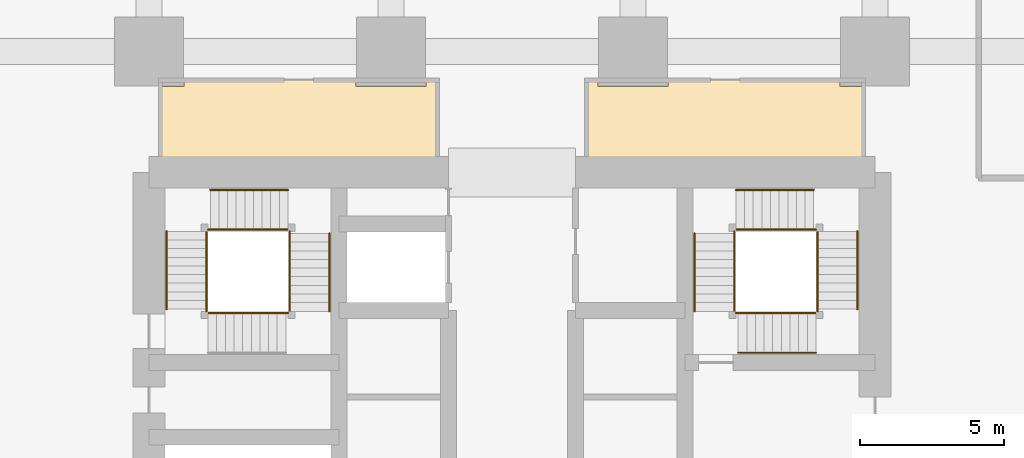
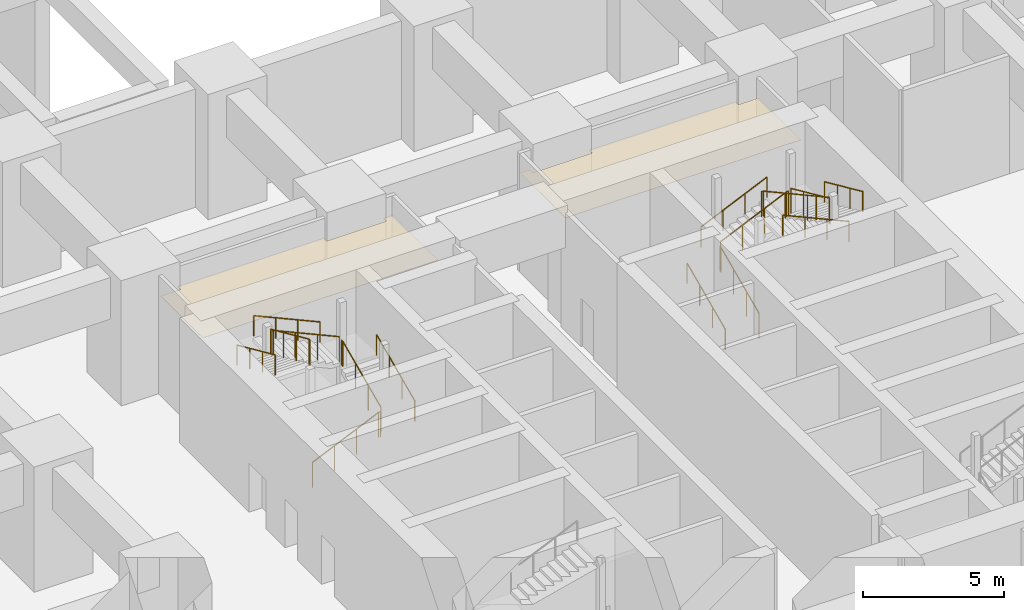
# One storey, part 18 of 20: 23 railings, 2 coverings.
"""IFC4 building model written with IfcOpenShell, lengths in metres."""

from ifc_helpers import new_model, si_unit, direction, frame, origin, origin_2d, place, context, subcontext, project, spatial, polyline, circle, outline, extrude, material, layer, layer_set, type_object, element, save


model = new_model("IFC4")

# Units and contexts
model_context = context("Model", 3, precision=1e-05, world=origin(), true_north=direction((0.0, 1.0)))
body_context = subcontext(model_context, "Body", "Model", "MODEL_VIEW")
ifc_project = project(units=[si_unit("LENGTHUNIT", "METRE"), si_unit("AREAUNIT", "SQUARE_METRE"), si_unit("VOLUMEUNIT", "CUBIC_METRE"), si_unit("PLANEANGLEUNIT", "RADIAN"), si_unit("MASSUNIT", "GRAM", prefix="KILO")], contexts=[model_context])

# Site, building, storey
site_placement = place(None, origin())
site = spatial("IfcSite", under=ifc_project, at=site_placement, CompositionType="ELEMENT")
building_placement = place(site_placement, origin())
building = spatial("IfcBuilding", under=site, at=building_placement, Name="Rekha Terrace Tower", CompositionType="ELEMENT")
storey_placement = place(building_placement, frame((0.0, 0.0, -5.39990234375)))
storey = spatial("IfcBuildingStorey", under=building, at=storey_placement, Name="B-01", CompositionType="ELEMENT", Elevation=-5.39990234375)

# Coverings
ifc_material_1 = material(Name="Fibre cement board", Category="finish")
ifc_layer = layer(ifc_material_1, 0.014892578125)
ifc_layer_set = layer_set([ifc_layer], Name="Fibre cement board")
covering_type = type_object("IfcCoveringType", Name="CL2 moisture-resistant board ceiling", PredefinedType="CEILING", material=ifc_layer_set)
covering_1_placement = place(storey_placement, frame((0.0, 0.0, 4.184814453125)))
element("IfcCovering", 1, at=covering_1_placement, inside=storey, type_object=covering_type, Name="Ceiling B-01-WCF", PredefinedType="CEILING", context=body_context, shape_type="SweptSolid", body=[
    extrude(outline(polyline([(40.784912109375, 49.39990234375), (40.39990234375, 49.39990234375), (40.39990234375, 46.199951171875), (50.0, 46.199951171875), (50.0, 49.18505859375), (49.18505859375, 49.18505859375), (49.18505859375, 49.39990234375), (43.215087890625, 49.39990234375), (43.215087890625, 49.18505859375), (40.784912109375, 49.18505859375), (40.784912109375, 49.39990234375)])), origin(), (0.0, 0.0, 1.0), 0.01513671875),
])
covering_2_placement = place(storey_placement, frame((0.0, 0.0, 4.184814453125)))
element("IfcCovering", 2, at=covering_2_placement, inside=storey, type_object=covering_type, Name="Ceiling B-01-WCF2", PredefinedType="CEILING", context=body_context, shape_type="SweptSolid", body=[
    extrude(outline(polyline([(26.4150390625, 49.18505859375), (25.60009765625, 49.18505859375), (25.60009765625, 46.199951171875), (35.199951171875, 46.199951171875), (35.199951171875, 49.39990234375), (34.81494140625, 49.39990234375), (34.81494140625, 49.18505859375), (32.385009765625, 49.18505859375), (32.385009765625, 49.39990234375), (26.4150390625, 49.39990234375), (26.4150390625, 49.18505859375)])), origin(), (0.0, 0.0, 1.0), 0.01513671875),
])

# Railings
ifc_material_2 = material(Name="Stainless steel balustrade", Category="steel")
railing_type_1 = type_object("IfcRailingType", Name="GR1 1100 stair guard", PredefinedType="GUARDRAIL", material=ifc_material_2)
railing_1_placement = place(storey_placement, frame((45.514892578125, 41.375, 0.135009765625)))
element("IfcRailing", 3, at=railing_1_placement, inside=storey, type_object=railing_type_1, Name="Guard ST2 B-01 flight 1", PredefinedType="GUARDRAIL", context=body_context, shape_type="SweptSolid", body=[
    extrude(circle(Radius=0.02392578125, at=origin_2d()), frame((0.0, 0.0, 1.076171875), z_axis=(0.0, 0.91193847666, 0.410326960834), x_axis=(-1.0, 0.0, 0.0)), (0.0, 0.0, 1.0), 2.960693359375),
    extrude(circle(Radius=0.02099609375, at=origin_2d()), origin(), (0.0, 0.0, 1.0), 1.052001953125),
    extrude(circle(Radius=0.02099609375, at=origin_2d()), frame((0.0, 0.89990234375, 0.405029296875)), (0.0, 0.0, 1.0), 1.052001953125),
    extrude(circle(Radius=0.02099609375, at=origin_2d()), frame((0.0, 1.800048828125, 0.809814453125)), (0.0, 0.0, 1.0), 1.052001953125),
    extrude(circle(Radius=0.02099609375, at=origin_2d()), frame((0.0, 2.699951171875, 1.21484375)), (0.0, 0.0, 1.0), 1.052001953125),
])
railing_2_placement = place(storey_placement, frame((45.574951171875, 44.2099609375, 1.48486328125)))
element("IfcRailing", 4, at=railing_2_placement, inside=storey, type_object=railing_type_1, Name="Guard ST2 B-01 flight 2", PredefinedType="GUARDRAIL", context=body_context, shape_type="SweptSolid", body=[
    extrude(circle(Radius=0.02392578125, at=origin_2d()), frame((0.0, 0.0, 1.076171875), z_axis=(0.911907618724, 0.0, 0.410395534713), x_axis=(0.0, 1.0, 0.0)), (0.0, 0.0, 1.0), 2.960693359375),
    extrude(circle(Radius=0.02099609375, at=origin_2d()), origin(), (0.0, 0.0, 1.0), 1.052001953125),
    extrude(circle(Radius=0.02099609375, at=origin_2d()), frame((0.89990234375, 0.0, 0.405029296875)), (0.0, 0.0, 1.0), 1.052001953125),
    extrude(circle(Radius=0.02099609375, at=origin_2d()), frame((1.800048828125, 0.0, 0.81005859375)), (0.0, 0.0, 1.0), 1.052001953125),
    extrude(circle(Radius=0.02099609375, at=origin_2d()), frame((2.699951171875, 0.0, 1.215087890625)), (0.0, 0.0, 1.0), 1.052001953125),
])
railing_3_placement = place(storey_placement, frame((48.409912109375, 44.14990234375, 2.8349609375)))
element("IfcRailing", 5, at=railing_3_placement, inside=storey, type_object=railing_type_1, Name="Guard ST2 B-01 flight 3", PredefinedType="GUARDRAIL", context=body_context, shape_type="SweptSolid", body=[
    extrude(circle(Radius=0.02392578125, at=origin_2d()), frame((0.0, 0.0, 1.076171875), z_axis=(0.0, -0.91193847666, 0.410326960834), x_axis=(1.0, 0.0, 0.0)), (0.0, 0.0, 1.0), 2.960693359375),
    extrude(circle(Radius=0.02099609375, at=origin_2d()), origin(), (0.0, 0.0, 1.0), 1.052001953125),
    extrude(circle(Radius=0.02099609375, at=origin_2d()), frame((0.0, -0.89990234375, 0.405029296875)), (0.0, 0.0, 1.0), 1.052001953125),
    extrude(circle(Radius=0.02099609375, at=origin_2d()), frame((0.0, -1.800048828125, 0.809814453125)), (0.0, 0.0, 1.0), 1.052001953125),
    extrude(circle(Radius=0.02099609375, at=origin_2d()), frame((0.0, -2.699951171875, 1.21484375)), (0.0, 0.0, 1.0), 1.052001953125),
])
railing_4_placement = place(storey_placement, frame((48.35009765625, 41.31494140625, 4.184814453125)))
element("IfcRailing", 6, at=railing_4_placement, inside=storey, type_object=railing_type_1, Name="Guard ST2 B-01 flight 4", PredefinedType="GUARDRAIL", context=body_context, shape_type="SweptSolid", body=[
    extrude(circle(Radius=0.02392578125, at=origin_2d()), frame((0.0, 0.0, 1.076171875), z_axis=(-0.911921505175, 0.0, 0.410364677329), x_axis=(0.0, -1.0, 0.0)), (0.0, 0.0, 1.0), 2.9609375),
    extrude(circle(Radius=0.02099609375, at=origin_2d()), origin(), (0.0, 0.0, 1.0), 1.052001953125),
    extrude(circle(Radius=0.02099609375, at=origin_2d()), frame((-0.900146484375, 0.0, 0.405029296875)), (0.0, 0.0, 1.0), 1.052001953125),
    extrude(circle(Radius=0.02099609375, at=origin_2d()), frame((-1.800048828125, 0.0, 0.81005859375)), (0.0, 0.0, 1.0), 1.052001953125),
    extrude(circle(Radius=0.02099609375, at=origin_2d()), frame((-2.7001953125, 0.0, 1.215087890625)), (0.0, 0.0, 1.0), 1.052001953125),
])
railing_5_placement = place(storey_placement, frame((45.514892578125, 44.074951171875, 1.349853515625)))
element("IfcRailing", 7, at=railing_5_placement, inside=storey, type_object=railing_type_1, Name="Guard ST2 B-01 landing 1", PredefinedType="GUARDRAIL", context=body_context, shape_type="SweptSolid", body=[
    extrude(circle(Radius=0.02392578125, at=origin_2d()), frame((0.0, 0.0, 1.076171875), z_axis=(0.0, 1.0, 0.0), x_axis=(-1.0, 0.0, 0.0)), (0.0, 0.0, 1.0), 0.074951171875),
    extrude(circle(Radius=0.02099609375, at=origin_2d()), origin(), (0.0, 0.0, 1.0), 1.052001953125),
    extrude(circle(Radius=0.02099609375, at=origin_2d()), frame((0.0, 0.074951171875, 0.0)), (0.0, 0.0, 1.0), 1.052001953125),
])
railing_6_placement = place(storey_placement, frame((48.27490234375, 44.2099609375, 2.699951171875)))
element("IfcRailing", 8, at=railing_6_placement, inside=storey, type_object=railing_type_1, Name="Guard ST2 B-01 landing 2", PredefinedType="GUARDRAIL", context=body_context, shape_type="SweptSolid", body=[
    extrude(circle(Radius=0.02392578125, at=origin_2d()), frame((0.0, 0.0, 1.076171875), z_axis=(1.0, 0.0, 0.0), x_axis=(0.0, 1.0, 0.0)), (0.0, 0.0, 1.0), 0.0751953125),
    extrude(circle(Radius=0.02099609375, at=origin_2d()), origin(), (0.0, 0.0, 1.0), 1.052001953125),
    extrude(circle(Radius=0.02099609375, at=origin_2d()), frame((0.0751953125, 0.0, 0.0)), (0.0, 0.0, 1.0), 1.052001953125),
])
railing_7_placement = place(storey_placement, frame((48.409912109375, 41.375, 4.0498046875)))
element("IfcRailing", 9, at=railing_7_placement, inside=storey, type_object=railing_type_1, Name="Guard ST2 B-01 landing 3", PredefinedType="GUARDRAIL", context=body_context, shape_type="SweptSolid", body=[
    extrude(circle(Radius=0.02392578125, at=origin_2d()), frame((0.0, 0.0, 1.076171875), z_axis=(0.0, 1.0, 0.0), x_axis=(-1.0, 0.0, 0.0)), (0.0, 0.0, 1.0), 0.074951171875),
    extrude(circle(Radius=0.02099609375, at=origin_2d()), origin(), (0.0, 0.0, 1.0), 1.052001953125),
    extrude(circle(Radius=0.02099609375, at=origin_2d()), frame((0.0, 0.074951171875, 0.0)), (0.0, 0.0, 1.0), 1.052001953125),
])
railing_8_placement = place(storey_placement, frame((45.574951171875, 41.31494140625, 5.39990234375)))
element("IfcRailing", 10, at=railing_8_placement, inside=storey, type_object=railing_type_1, Name="Guard ST2 B-01 landing 4", PredefinedType="GUARDRAIL", context=body_context, shape_type="SweptSolid", body=[
    extrude(circle(Radius=0.02392578125, at=origin_2d()), frame((0.0, 0.0, 1.076171875), z_axis=(1.0, 0.0, 0.0), x_axis=(0.0, 1.0, 0.0)), (0.0, 0.0, 1.0), 0.074951171875),
    extrude(circle(Radius=0.02099609375, at=origin_2d()), origin(), (0.0, 0.0, 1.0), 1.052001953125),
    extrude(circle(Radius=0.02099609375, at=origin_2d()), frame((0.074951171875, 0.0, 0.0)), (0.0, 0.0, 1.0), 1.052001953125),
])
railing_9_placement = place(storey_placement, frame((27.25, 41.31494140625, 0.135009765625)))
element("IfcRailing", 11, at=railing_9_placement, inside=storey, type_object=railing_type_1, Name="Guard ST4 B-01 flight 1", PredefinedType="GUARDRAIL", context=body_context, shape_type="SweptSolid", body=[
    extrude(circle(Radius=0.02392578125, at=origin_2d()), frame((0.0, 0.0, 1.076171875), z_axis=(0.91193847666, 0.0, 0.410326960834), x_axis=(0.0, 1.0, 0.0)), (0.0, 0.0, 1.0), 2.960693359375),
    extrude(circle(Radius=0.02099609375, at=origin_2d()), origin(), (0.0, 0.0, 1.0), 1.052001953125),
    extrude(circle(Radius=0.02099609375, at=origin_2d()), frame((0.89990234375, 0.0, 0.405029296875)), (0.0, 0.0, 1.0), 1.052001953125),
    extrude(circle(Radius=0.02099609375, at=origin_2d()), frame((1.800048828125, 0.0, 0.809814453125)), (0.0, 0.0, 1.0), 1.052001953125),
    extrude(circle(Radius=0.02099609375, at=origin_2d()), frame((2.699951171875, 0.0, 1.21484375)), (0.0, 0.0, 1.0), 1.052001953125),
])
railing_10_placement = place(storey_placement, frame((30.0849609375, 41.375, 1.48486328125)))
element("IfcRailing", 12, at=railing_10_placement, inside=storey, type_object=railing_type_1, Name="Guard ST4 B-01 flight 2", PredefinedType="GUARDRAIL", context=body_context, shape_type="SweptSolid", body=[
    extrude(circle(Radius=0.02392578125, at=origin_2d()), frame((0.0, 0.0, 1.076171875), z_axis=(0.0, 0.911907618724, 0.410395534713), x_axis=(-1.0, 0.0, 0.0)), (0.0, 0.0, 1.0), 2.960693359375),
    extrude(circle(Radius=0.02099609375, at=origin_2d()), origin(), (0.0, 0.0, 1.0), 1.052001953125),
    extrude(circle(Radius=0.02099609375, at=origin_2d()), frame((0.0, 0.89990234375, 0.405029296875)), (0.0, 0.0, 1.0), 1.052001953125),
    extrude(circle(Radius=0.02099609375, at=origin_2d()), frame((0.0, 1.800048828125, 0.81005859375)), (0.0, 0.0, 1.0), 1.052001953125),
    extrude(circle(Radius=0.02099609375, at=origin_2d()), frame((0.0, 2.699951171875, 1.215087890625)), (0.0, 0.0, 1.0), 1.052001953125),
])
railing_11_placement = place(storey_placement, frame((30.02490234375, 44.2099609375, 2.8349609375)))
element("IfcRailing", 13, at=railing_11_placement, inside=storey, type_object=railing_type_1, Name="Guard ST4 B-01 flight 3", PredefinedType="GUARDRAIL", context=body_context, shape_type="SweptSolid", body=[
    extrude(circle(Radius=0.02392578125, at=origin_2d()), frame((0.0, 0.0, 1.076171875), z_axis=(-0.91193847666, 0.0, 0.410326960834), x_axis=(0.0, -1.0, 0.0)), (0.0, 0.0, 1.0), 2.960693359375),
    extrude(circle(Radius=0.02099609375, at=origin_2d()), origin(), (0.0, 0.0, 1.0), 1.052001953125),
    extrude(circle(Radius=0.02099609375, at=origin_2d()), frame((-0.89990234375, 0.0, 0.405029296875)), (0.0, 0.0, 1.0), 1.052001953125),
    extrude(circle(Radius=0.02099609375, at=origin_2d()), frame((-1.800048828125, 0.0, 0.809814453125)), (0.0, 0.0, 1.0), 1.052001953125),
    extrude(circle(Radius=0.02099609375, at=origin_2d()), frame((-2.699951171875, 0.0, 1.21484375)), (0.0, 0.0, 1.0), 1.052001953125),
])
railing_12_placement = place(storey_placement, frame((27.18994140625, 44.14990234375, 4.184814453125)))
element("IfcRailing", 14, at=railing_12_placement, inside=storey, type_object=railing_type_1, Name="Guard ST4 B-01 flight 4", PredefinedType="GUARDRAIL", context=body_context, shape_type="SweptSolid", body=[
    extrude(circle(Radius=0.02392578125, at=origin_2d()), frame((0.0, 0.0, 1.076171875), z_axis=(0.0, -0.911907618724, 0.410395534713), x_axis=(1.0, 0.0, 0.0)), (0.0, 0.0, 1.0), 2.960693359375),
    extrude(circle(Radius=0.02099609375, at=origin_2d()), origin(), (0.0, 0.0, 1.0), 1.052001953125),
    extrude(circle(Radius=0.02099609375, at=origin_2d()), frame((0.0, -0.89990234375, 0.405029296875)), (0.0, 0.0, 1.0), 1.052001953125),
    extrude(circle(Radius=0.02099609375, at=origin_2d()), frame((0.0, -1.800048828125, 0.81005859375)), (0.0, 0.0, 1.0), 1.052001953125),
    extrude(circle(Radius=0.02099609375, at=origin_2d()), frame((0.0, -2.699951171875, 1.215087890625)), (0.0, 0.0, 1.0), 1.052001953125),
])
railing_13_placement = place(storey_placement, frame((29.949951171875, 41.31494140625, 1.349853515625)))
element("IfcRailing", 15, at=railing_13_placement, inside=storey, type_object=railing_type_1, Name="Guard ST4 B-01 landing 1", PredefinedType="GUARDRAIL", context=body_context, shape_type="SweptSolid", body=[
    extrude(circle(Radius=0.02392578125, at=origin_2d()), frame((0.0, 0.0, 1.076171875), z_axis=(1.0, 0.0, 0.0), x_axis=(0.0, 1.0, 0.0)), (0.0, 0.0, 1.0), 0.074951171875),
    extrude(circle(Radius=0.02099609375, at=origin_2d()), origin(), (0.0, 0.0, 1.0), 1.052001953125),
    extrude(circle(Radius=0.02099609375, at=origin_2d()), frame((0.074951171875, 0.0, 0.0)), (0.0, 0.0, 1.0), 1.052001953125),
])
railing_14_placement = place(storey_placement, frame((30.0849609375, 44.074951171875, 2.699951171875)))
element("IfcRailing", 16, at=railing_14_placement, inside=storey, type_object=railing_type_1, Name="Guard ST4 B-01 landing 2", PredefinedType="GUARDRAIL", context=body_context, shape_type="SweptSolid", body=[
    extrude(circle(Radius=0.02392578125, at=origin_2d()), frame((0.0, 0.0, 1.076171875), z_axis=(0.0, 1.0, 0.0), x_axis=(-1.0, 0.0, 0.0)), (0.0, 0.0, 1.0), 0.074951171875),
    extrude(circle(Radius=0.02099609375, at=origin_2d()), origin(), (0.0, 0.0, 1.0), 1.052001953125),
    extrude(circle(Radius=0.02099609375, at=origin_2d()), frame((0.0, 0.074951171875, 0.0)), (0.0, 0.0, 1.0), 1.052001953125),
])
railing_15_placement = place(storey_placement, frame((27.25, 44.2099609375, 4.0498046875)))
element("IfcRailing", 17, at=railing_15_placement, inside=storey, type_object=railing_type_1, Name="Guard ST4 B-01 landing 3", PredefinedType="GUARDRAIL", context=body_context, shape_type="SweptSolid", body=[
    extrude(circle(Radius=0.02392578125, at=origin_2d()), frame((0.0, 0.0, 1.076171875), z_axis=(1.0, 0.0, 0.0), x_axis=(0.0, 1.0, 0.0)), (0.0, 0.0, 1.0), 0.074951171875),
    extrude(circle(Radius=0.02099609375, at=origin_2d()), origin(), (0.0, 0.0, 1.0), 1.052001953125),
    extrude(circle(Radius=0.02099609375, at=origin_2d()), frame((0.074951171875, 0.0, 0.0)), (0.0, 0.0, 1.0), 1.052001953125),
])
railing_16_placement = place(storey_placement, frame((27.18994140625, 41.375, 5.39990234375)))
element("IfcRailing", 18, at=railing_16_placement, inside=storey, type_object=railing_type_1, Name="Guard ST4 B-01 landing 4", PredefinedType="GUARDRAIL", context=body_context, shape_type="SweptSolid", body=[
    extrude(circle(Radius=0.02392578125, at=origin_2d()), frame((0.0, 0.0, 1.076171875), z_axis=(0.0, 1.0, 0.0), x_axis=(-1.0, 0.0, 0.0)), (0.0, 0.0, 1.0), 0.074951171875),
    extrude(circle(Radius=0.02099609375, at=origin_2d()), origin(), (0.0, 0.0, 1.0), 1.052001953125),
    extrude(circle(Radius=0.02099609375, at=origin_2d()), frame((0.0, 0.074951171875, 0.0)), (0.0, 0.0, 1.0), 1.052001953125),
])
ifc_material_3 = material(Name="Stainless steel tube", Category="steel")
railing_type_2 = type_object("IfcRailingType", Name="HR1 900 stair handrail", PredefinedType="HANDRAIL", material=ifc_material_3)
railing_17_placement = place(storey_placement, frame((44.135009765625, 41.375, 0.135009765625)))
element("IfcRailing", 19, at=railing_17_placement, inside=storey, type_object=railing_type_2, Name="Handrail ST2 B-01 flight 1", PredefinedType="HANDRAIL", context=body_context, shape_type="SweptSolid", body=[
    extrude(circle(Radius=0.02392578125, at=origin_2d()), frame((0.0, 0.0, 0.8759765625), z_axis=(0.0, 0.91193847666, 0.410326960834), x_axis=(-1.0, 0.0, 0.0)), (0.0, 0.0, 1.0), 2.960693359375),
    extrude(circle(Radius=0.02099609375, at=origin_2d()), origin(), (0.0, 0.0, 1.0), 0.851806640625),
    extrude(circle(Radius=0.02099609375, at=origin_2d()), frame((0.0, 0.89990234375, 0.405029296875)), (0.0, 0.0, 1.0), 0.851806640625),
    extrude(circle(Radius=0.02099609375, at=origin_2d()), frame((0.0, 1.800048828125, 0.809814453125)), (0.0, 0.0, 1.0), 0.851806640625),
    extrude(circle(Radius=0.02099609375, at=origin_2d()), frame((0.0, 2.699951171875, 1.21484375)), (0.0, 0.0, 1.0), 0.851806640625),
])
railing_18_placement = place(storey_placement, frame((45.574951171875, 45.590087890625, 1.48486328125)))
element("IfcRailing", 20, at=railing_18_placement, inside=storey, type_object=railing_type_2, Name="Handrail ST2 B-01 flight 2", PredefinedType="HANDRAIL", context=body_context, shape_type="SweptSolid", body=[
    extrude(circle(Radius=0.02392578125, at=origin_2d()), frame((0.0, 0.0, 0.8759765625), z_axis=(0.911907618724, 0.0, 0.410395534713), x_axis=(0.0, 1.0, 0.0)), (0.0, 0.0, 1.0), 2.960693359375),
    extrude(circle(Radius=0.02099609375, at=origin_2d()), origin(), (0.0, 0.0, 1.0), 0.851806640625),
    extrude(circle(Radius=0.02099609375, at=origin_2d()), frame((0.89990234375, 0.0, 0.405029296875)), (0.0, 0.0, 1.0), 0.851806640625),
    extrude(circle(Radius=0.02099609375, at=origin_2d()), frame((1.800048828125, 0.0, 0.81005859375)), (0.0, 0.0, 1.0), 0.851806640625),
    extrude(circle(Radius=0.02099609375, at=origin_2d()), frame((2.699951171875, 0.0, 1.215087890625)), (0.0, 0.0, 1.0), 0.851806640625),
])
railing_19_placement = place(storey_placement, frame((49.7900390625, 44.14990234375, 2.8349609375)))
element("IfcRailing", 21, at=railing_19_placement, inside=storey, type_object=railing_type_2, Name="Handrail ST2 B-01 flight 3", PredefinedType="HANDRAIL", context=body_context, shape_type="SweptSolid", body=[
    extrude(circle(Radius=0.02392578125, at=origin_2d()), frame((0.0, 0.0, 0.8759765625), z_axis=(0.0, -0.91193847666, 0.410326960834), x_axis=(1.0, 0.0, 0.0)), (0.0, 0.0, 1.0), 2.960693359375),
    extrude(circle(Radius=0.02099609375, at=origin_2d()), origin(), (0.0, 0.0, 1.0), 0.851806640625),
    extrude(circle(Radius=0.02099609375, at=origin_2d()), frame((0.0, -0.89990234375, 0.405029296875)), (0.0, 0.0, 1.0), 0.851806640625),
    extrude(circle(Radius=0.02099609375, at=origin_2d()), frame((0.0, -1.800048828125, 0.809814453125)), (0.0, 0.0, 1.0), 0.851806640625),
    extrude(circle(Radius=0.02099609375, at=origin_2d()), frame((0.0, -2.699951171875, 1.21484375)), (0.0, 0.0, 1.0), 0.851806640625),
])
railing_20_placement = place(storey_placement, frame((48.35009765625, 39.93505859375, 4.184814453125)))
element("IfcRailing", 22, at=railing_20_placement, inside=storey, type_object=railing_type_2, Name="Handrail ST2 B-01 flight 4", PredefinedType="HANDRAIL", context=body_context, shape_type="SweptSolid", body=[
    extrude(circle(Radius=0.02392578125, at=origin_2d()), frame((0.0, 0.0, 0.8759765625), z_axis=(-0.911921505175, 0.0, 0.410364677329), x_axis=(0.0, -1.0, 0.0)), (0.0, 0.0, 1.0), 2.9609375),
    extrude(circle(Radius=0.02099609375, at=origin_2d()), origin(), (0.0, 0.0, 1.0), 0.851806640625),
    extrude(circle(Radius=0.02099609375, at=origin_2d()), frame((-0.900146484375, 0.0, 0.405029296875)), (0.0, 0.0, 1.0), 0.851806640625),
    extrude(circle(Radius=0.02099609375, at=origin_2d()), frame((-1.800048828125, 0.0, 0.81005859375)), (0.0, 0.0, 1.0), 0.851806640625),
    extrude(circle(Radius=0.02099609375, at=origin_2d()), frame((-2.7001953125, 0.0, 1.215087890625)), (0.0, 0.0, 1.0), 0.851806640625),
])
railing_21_placement = place(storey_placement, frame((31.465087890625, 41.375, 1.48486328125)))
element("IfcRailing", 23, at=railing_21_placement, inside=storey, type_object=railing_type_2, Name="Handrail ST4 B-01 flight 2", PredefinedType="HANDRAIL", context=body_context, shape_type="SweptSolid", body=[
    extrude(circle(Radius=0.02392578125, at=origin_2d()), frame((0.0, 0.0, 0.8759765625), z_axis=(0.0, 0.911907618724, 0.410395534713), x_axis=(-1.0, 0.0, 0.0)), (0.0, 0.0, 1.0), 2.960693359375),
    extrude(circle(Radius=0.02099609375, at=origin_2d()), origin(), (0.0, 0.0, 1.0), 0.851806640625),
    extrude(circle(Radius=0.02099609375, at=origin_2d()), frame((0.0, 0.89990234375, 0.405029296875)), (0.0, 0.0, 1.0), 0.851806640625),
    extrude(circle(Radius=0.02099609375, at=origin_2d()), frame((0.0, 1.800048828125, 0.81005859375)), (0.0, 0.0, 1.0), 0.851806640625),
    extrude(circle(Radius=0.02099609375, at=origin_2d()), frame((0.0, 2.699951171875, 1.215087890625)), (0.0, 0.0, 1.0), 0.851806640625),
])
railing_22_placement = place(storey_placement, frame((30.02490234375, 45.590087890625, 2.8349609375)))
element("IfcRailing", 24, at=railing_22_placement, inside=storey, type_object=railing_type_2, Name="Handrail ST4 B-01 flight 3", PredefinedType="HANDRAIL", context=body_context, shape_type="SweptSolid", body=[
    extrude(circle(Radius=0.02392578125, at=origin_2d()), frame((0.0, 0.0, 0.8759765625), z_axis=(-0.91193847666, 0.0, 0.410326960834), x_axis=(0.0, -1.0, 0.0)), (0.0, 0.0, 1.0), 2.960693359375),
    extrude(circle(Radius=0.02099609375, at=origin_2d()), origin(), (0.0, 0.0, 1.0), 0.851806640625),
    extrude(circle(Radius=0.02099609375, at=origin_2d()), frame((-0.89990234375, 0.0, 0.405029296875)), (0.0, 0.0, 1.0), 0.851806640625),
    extrude(circle(Radius=0.02099609375, at=origin_2d()), frame((-1.800048828125, 0.0, 0.809814453125)), (0.0, 0.0, 1.0), 0.851806640625),
    extrude(circle(Radius=0.02099609375, at=origin_2d()), frame((-2.699951171875, 0.0, 1.21484375)), (0.0, 0.0, 1.0), 0.851806640625),
])
railing_23_placement = place(storey_placement, frame((25.81005859375, 44.14990234375, 4.184814453125)))
element("IfcRailing", 25, at=railing_23_placement, inside=storey, type_object=railing_type_2, Name="Handrail ST4 B-01 flight 4", PredefinedType="HANDRAIL", context=body_context, shape_type="SweptSolid", body=[
    extrude(circle(Radius=0.02392578125, at=origin_2d()), frame((0.0, 0.0, 0.8759765625), z_axis=(0.0, -0.911907618724, 0.410395534713), x_axis=(1.0, 0.0, 0.0)), (0.0, 0.0, 1.0), 2.960693359375),
    extrude(circle(Radius=0.02099609375, at=origin_2d()), origin(), (0.0, 0.0, 1.0), 0.851806640625),
    extrude(circle(Radius=0.02099609375, at=origin_2d()), frame((0.0, -0.89990234375, 0.405029296875)), (0.0, 0.0, 1.0), 0.851806640625),
    extrude(circle(Radius=0.02099609375, at=origin_2d()), frame((0.0, -1.800048828125, 0.81005859375)), (0.0, 0.0, 1.0), 0.851806640625),
    extrude(circle(Radius=0.02099609375, at=origin_2d()), frame((0.0, -2.699951171875, 1.215087890625)), (0.0, 0.0, 1.0), 0.851806640625),
])

save(model, "model.ifc")
